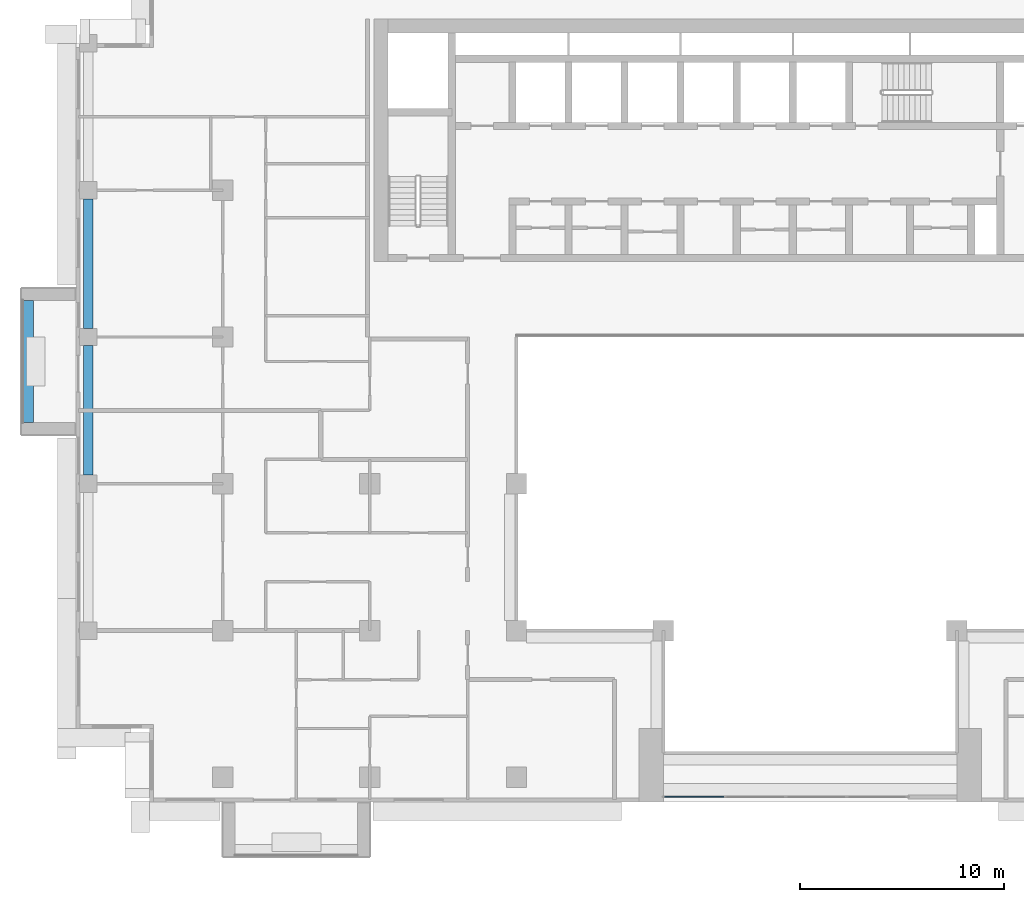
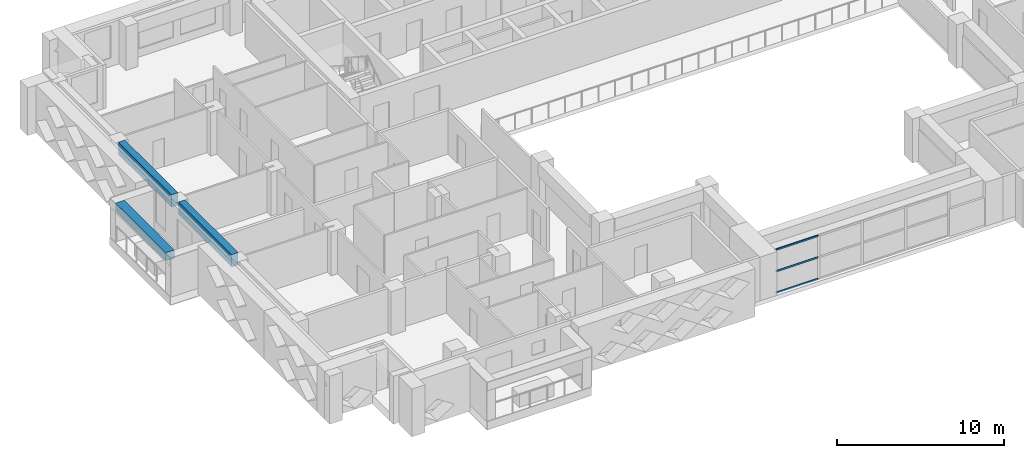
# One storey, part 3 of 19: 3 beams, 3 members, 1 element without a shape of its own.
"""IFC4 building model written with IfcOpenShell, lengths in metres."""

from ifc_helpers import new_model, si_unit, direction, frame, origin, origin_2d, place, context, subcontext, project, spatial, rectangle, extrude, source, transform, mapped, material, layer, layer_set, material_profile, profile_set, type_object, element, aggregate, save


model = new_model("IFC4")

# Units and contexts
model_context = context("Model", 3, precision=1e-05, world=origin(), true_north=direction((0.0, 1.0)))
body_context = subcontext(model_context, "Body", "Model", "MODEL_VIEW")
ifc_project = project(units=[si_unit("LENGTHUNIT", "METRE"), si_unit("AREAUNIT", "SQUARE_METRE"), si_unit("VOLUMEUNIT", "CUBIC_METRE"), si_unit("PLANEANGLEUNIT", "RADIAN"), si_unit("MASSUNIT", "GRAM", prefix="KILO")], contexts=[model_context])

# Site, building, storey
site_placement = place(None, origin())
site = spatial("IfcSite", under=ifc_project, at=site_placement, CompositionType="ELEMENT")
building_placement = place(site_placement, origin())
building = spatial("IfcBuilding", under=site, at=building_placement, Name="Saffron Iwan Residences", CompositionType="ELEMENT")
storey_placement = place(building_placement, frame((0.0, 0.0, 160.5)))
storey = spatial("IfcBuildingStorey", under=building, at=storey_placement, Name="L42", CompositionType="ELEMENT", Elevation=160.5)

# Beams
ifc_material_1 = material(Name="Concrete C50/60", Category="concrete")
ifc_material_profile_1 = material_profile(ifc_material_1, rectangle(XDim=0.449951171875, YDim=0.89990234375, at=origin_2d()), Name="RC 450x900")
ifc_profile_set_1 = profile_set([ifc_material_profile_1], Name="Concrete C50/60")
beam_type_1 = type_object("IfcBeamType", Name="SPANDREL BEAM RC 450x900 C50/60 TOP 3200", PredefinedType="SPANDREL", material=ifc_profile_set_1)
shared_shape_1 = source(origin(), body_context, "Body", "SweptSolid", [
    extrude(rectangle(XDim=0.449951171875, YDim=0.89990234375, at=origin_2d()), origin(), (0.0, 0.0, 1.0), 6.35009765625),
])
for number, where, z_axis, x_axis, name in (
    (1, (15.0, 55.625, 2.75), (0.0, 1.0, 0.0), (-1.0, 0.0, 0.0), "Spandrel beam"),
    (2, (15.0, 62.824951171875, 2.75), (0.0, 1.0, 0.0), (-1.0, 0.0, 0.0), "Spandrel beam"),
):
    element("IfcBeam", number, at=place(storey_placement, frame(where, z_axis=z_axis, x_axis=x_axis)), inside=storey, type_object=beam_type_1, Name=name, PredefinedType="SPANDREL", context=body_context, shape_type="MappedRepresentation", body=[
        mapped(shared_shape_1, transform((0.0, 0.0, 0.0))),
    ])

# Curtain wall, members
ifc_material_2 = material(Name="Clear glass, laminated double glazed", Category="glass")
ifc_layer = layer(ifc_material_2, 0.199951171875)
ifc_layer_set = layer_set([ifc_layer], Name="Clear glass, laminated double glazed")
curtain_wall_type = type_object("IfcCurtainWallType", Name="CW-B IWAN PORTAL", PredefinedType="NOTDEFINED", material=ifc_layer_set)
curtain_wall_placement = place(storey_placement, origin())
curtain_wall = element("IfcCurtainWall", 3, at=curtain_wall_placement, inside=storey, type_object=curtain_wall_type, Name="Iwan portal glazing L42.1", PredefinedType="NOTDEFINED")
ifc_material_3 = material(Name="Aluminium 6063-T6", Category="aluminium")
ifc_material_profile_2 = material_profile(ifc_material_3, rectangle(XDim=0.06005859375, YDim=0.1201171875, at=origin_2d()), Name="CW-B TRANSOM 60 x 120")
ifc_profile_set_2 = profile_set([ifc_material_profile_2], Name="Aluminium 6063-T6")
member_type = type_object("IfcMemberType", Name="CW-B TRANSOM 60 x 120", PredefinedType="USERDEFINED", material=ifc_profile_set_2)
shared_shape_2 = source(origin(), body_context, "Body", "SweptSolid", [
    extrude(rectangle(XDim=0.06005859375, YDim=0.1201171875, at=origin_2d()), origin(), (0.0, 0.0, 1.0), 2.909912109375),
])
member_1_placement = place(storey_placement, frame((43.260009765625, 39.85009765625, 0.030029296875), z_axis=(1.0, 0.0, 0.0), x_axis=(0.0, 1.0, 0.0)))
member_1 = element("IfcMember", 4, at=member_1_placement, type_object=member_type, Name="CW-B transom 1.1", ObjectType="TRANSOM", PredefinedType="USERDEFINED", context=body_context, shape_type="MappedRepresentation", body=[
    mapped(shared_shape_2, transform((0.0, 0.0, 0.0))),
])
member_2_placement = place(storey_placement, frame((43.260009765625, 39.85009765625, 1.60009765625), z_axis=(1.0, 0.0, 0.0), x_axis=(0.0, 1.0, 0.0)))
member_2 = element("IfcMember", 5, at=member_2_placement, type_object=member_type, Name="CW-B transom 1.2", ObjectType="TRANSOM", PredefinedType="USERDEFINED", context=body_context, shape_type="MappedRepresentation", body=[
    mapped(shared_shape_2, transform((0.0, 0.0, 0.0))),
])
member_3_placement = place(storey_placement, frame((43.260009765625, 39.85009765625, 3.169921875), z_axis=(1.0, 0.0, 0.0), x_axis=(0.0, 1.0, 0.0)))
member_3 = element("IfcMember", 6, at=member_3_placement, type_object=member_type, Name="CW-B transom 1.3", ObjectType="TRANSOM", PredefinedType="USERDEFINED", context=body_context, shape_type="MappedRepresentation", body=[
    mapped(shared_shape_2, transform((0.0, 0.0, 0.0))),
])
aggregate(curtain_wall, [member_1, member_2, member_3])

# Beam
ifc_material_4 = material(Name="Concrete C50/60 white painted", Category="concrete")
ifc_material_profile_3 = material_profile(ifc_material_4, rectangle(XDim=0.60009765625, YDim=0.60009765625, at=origin_2d()), Name="BALCONY FASCIA BEAM 600 x 600")
ifc_profile_set_3 = profile_set([ifc_material_profile_3], Name="Concrete C50/60 white painted")
beam_type_2 = type_object("IfcBeamType", Name="BALCONY FASCIA BEAM 600 x 600", PredefinedType="BEAM", material=ifc_profile_set_3)
shared_shape_3 = source(origin(), body_context, "Body", "SweptSolid", [
    extrude(rectangle(XDim=0.60009765625, YDim=0.60009765625, at=origin_2d()), origin(), (0.0, 0.0, 1.0), 6.0),
])
beam_placement = place(storey_placement, frame((12.0, 64.199951171875, 2.550048828125), z_axis=(0.0, -1.0, 0.0), x_axis=(1.0, 0.0, 0.0)))
element("IfcBeam", 7, at=beam_placement, inside=storey, type_object=beam_type_2, Name="Balcony fascia beam L42 F8-0", PredefinedType="BEAM", context=body_context, shape_type="MappedRepresentation", body=[
    mapped(shared_shape_3, transform((0.0, 0.0, 0.0))),
])

save(model, "model.ifc")
